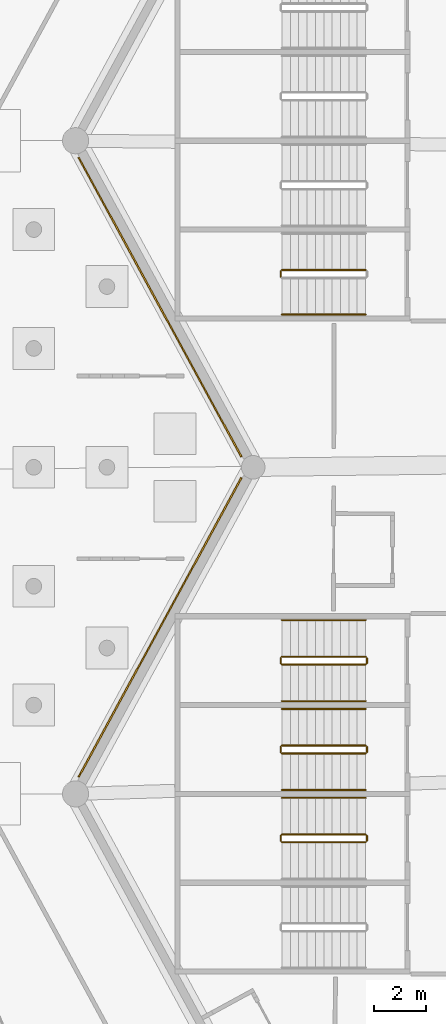
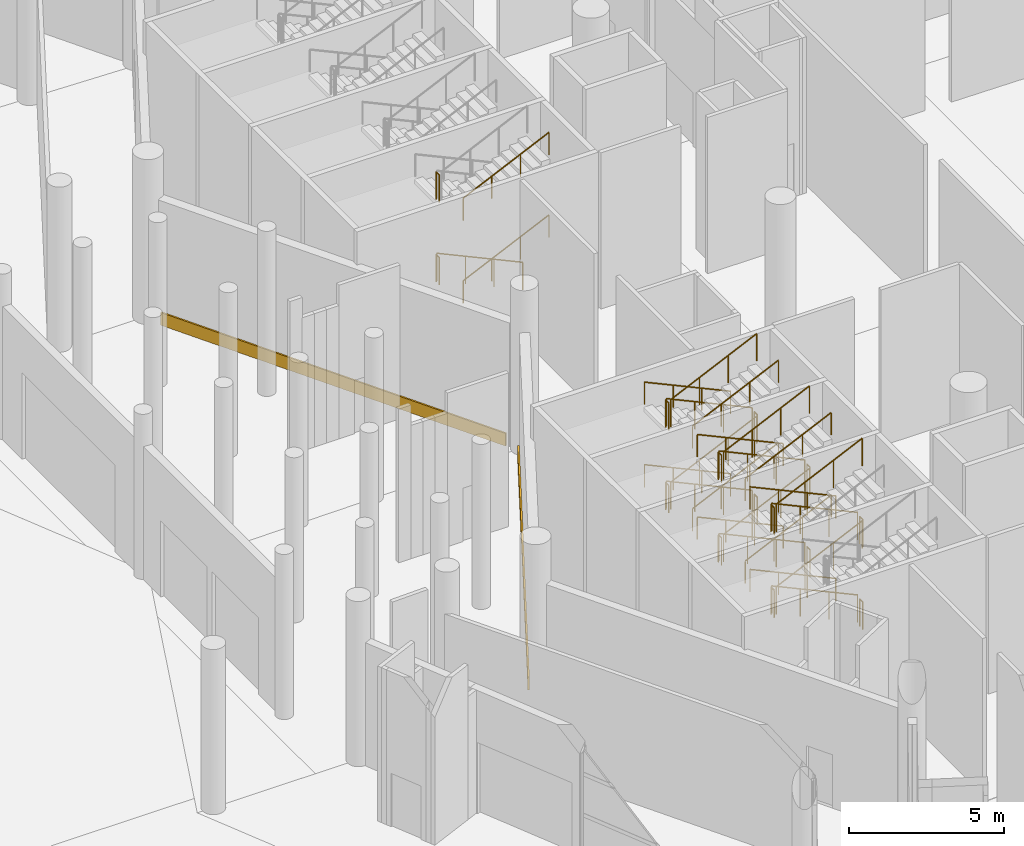
# One storey, part 200 of 255: 39 railings, 2 coverings.
"""IFC4 building model written with IfcOpenShell, lengths in metres."""

from ifc_helpers import new_model, si_unit, direction, frame, origin, origin_2d, place, context, subcontext, project, spatial, rectangle, circle, extrude, material, layer, layer_set, type_object, element, save


model = new_model("IFC4")

# Units and contexts
model_context = context("Model", 3, precision=1e-05, world=origin(), true_north=direction((0.0, 1.0)))
body_context = subcontext(model_context, "Body", "Model", "MODEL_VIEW")
ifc_project = project(units=[si_unit("LENGTHUNIT", "METRE"), si_unit("AREAUNIT", "SQUARE_METRE"), si_unit("VOLUMEUNIT", "CUBIC_METRE"), si_unit("PLANEANGLEUNIT", "RADIAN"), si_unit("MASSUNIT", "GRAM", prefix="KILO")], contexts=[model_context])

# Site, building, storey
site_placement = place(None, origin())
site = spatial("IfcSite", under=ifc_project, at=site_placement, CompositionType="ELEMENT")
building_placement = place(site_placement, origin())
building = spatial("IfcBuilding", under=site, at=building_placement, Name="Meseta Stadium", CompositionType="ELEMENT")
storey_placement = place(building_placement, origin())
storey = spatial("IfcBuildingStorey", under=building, at=storey_placement, Name="L00", CompositionType="ELEMENT", Elevation=0.0)

# Coverings
ifc_material_1 = material(Name="Guadarrama granite cladding", Category="masonry")
ifc_layer = layer(ifc_material_1, 0.06005859375)
ifc_layer_set = layer_set([ifc_layer], Name="Granite plinth cladding 60")
covering_type = type_object("IfcCoveringType", Name="Granite plinth cladding 60", PredefinedType="CLADDING", material=ifc_layer_set)
for number, where, z_axis, x_axis, name in (
    (1, (-98.168212890625, -0.119873046875, 0.0), (0.0, 0.0, 1.0), (-0.47786723231, 0.878432073802, 0.0), "Granite plinth L00 F32"),
    (2, (-98.168212890625, -12.380126953125, 0.0), (0.0, 0.0, 1.0), (0.47786723231, 0.878432073802, 0.0), "Granite plinth L00 F33"),
):
    element("IfcCovering", number, at=place(storey_placement, frame(where, z_axis=z_axis, x_axis=x_axis)), inside=storey, type_object=covering_type, Name=name, PredefinedType="CLADDING", context=body_context, shape_type="SweptSolid", body=[
        extrude(rectangle(XDim=13.040283203125, YDim=0.06005859375, at=origin_2d()), origin(), (0.0, 0.0, 1.0), 0.5),
    ])

# Railings
ifc_material_2 = material(Name="Steel S355", Category="steel")
railing_type_1 = type_object("IfcRailingType", Name="Stair guard 1100", PredefinedType="GUARDRAIL", material=ifc_material_2)
railing_1_placement = place(storey_placement, frame((-90.300048828125, 1.300048828125, 0.147705078125)))
element("IfcRailing", 3, at=railing_1_placement, inside=storey, type_object=railing_type_1, Name="ST68 L00 guard 1", PredefinedType="GUARDRAIL", context=body_context, shape_type="SweptSolid", body=[
    extrude(circle(Radius=0.02392578125, at=origin_2d()), frame((0.0, 0.0, 1.076171875), z_axis=(-0.907916804346, 0.0, 0.419150422148), x_axis=(0.0, -1.0, 0.0)), (0.0, 0.0, 1.0), 3.5244140625),
    extrude(circle(Radius=0.02099609375, at=origin_2d()), origin(), (0.0, 0.0, 1.0), 1.052001953125),
    extrude(circle(Radius=0.02099609375, at=origin_2d()), frame((-1.066650390625, 0.0, 0.492431640625)), (0.0, 0.0, 1.0), 1.052001953125),
    extrude(circle(Radius=0.02099609375, at=origin_2d()), frame((-2.13330078125, 0.0, 0.98486328125)), (0.0, 0.0, 1.0), 1.052001953125),
    extrude(circle(Radius=0.02099609375, at=origin_2d()), frame((-3.199951171875, 0.0, 1.477294921875)), (0.0, 0.0, 1.0), 1.052001953125),
])
for number, where, name in (
    (4, (-93.550048828125, 1.25, 1.625), "ST68 L00 guard 2"),
    (5, (-93.550048828125, 1.25, 4.875), "ST68 L00 guard 6"),
):
    element("IfcRailing", number, at=place(storey_placement, frame(where)), inside=storey, type_object=railing_type_1, Name=name, PredefinedType="GUARDRAIL", context=body_context, shape_type="SweptSolid", body=[
        extrude(circle(Radius=0.02392578125, at=origin_2d()), frame((0.0, 0.0, 1.076171875), z_axis=(0.0, -1.0, 0.0), x_axis=(1.0, 0.0, 0.0)), (0.0, 0.0, 1.0), 0.199951171875),
        extrude(circle(Radius=0.02099609375, at=origin_2d()), origin(), (0.0, 0.0, 1.0), 1.052001953125),
        extrude(circle(Radius=0.02099609375, at=origin_2d()), frame((0.0, -0.199951171875, 0.0)), (0.0, 0.0, 1.0), 1.052001953125),
    ])
railing_2_placement = place(storey_placement, frame((-90.300048828125, -13.5, 0.147705078125)))
element("IfcRailing", 6, at=railing_2_placement, inside=storey, type_object=railing_type_1, Name="ST69 L00 guard 1", PredefinedType="GUARDRAIL", context=body_context, shape_type="SweptSolid", body=[
    extrude(circle(Radius=0.02392578125, at=origin_2d()), frame((0.0, 0.0, 1.076171875), z_axis=(-0.907916804346, 0.0, 0.419150422148), x_axis=(0.0, -1.0, 0.0)), (0.0, 0.0, 1.0), 3.5244140625),
    extrude(circle(Radius=0.02099609375, at=origin_2d()), origin(), (0.0, 0.0, 1.0), 1.052001953125),
    extrude(circle(Radius=0.02099609375, at=origin_2d()), frame((-1.066650390625, 0.0, 0.492431640625)), (0.0, 0.0, 1.0), 1.052001953125),
    extrude(circle(Radius=0.02099609375, at=origin_2d()), frame((-2.13330078125, 0.0, 0.98486328125)), (0.0, 0.0, 1.0), 1.052001953125),
    extrude(circle(Radius=0.02099609375, at=origin_2d()), frame((-3.199951171875, 0.0, 1.477294921875)), (0.0, 0.0, 1.0), 1.052001953125),
])
railing_3_placement = place(storey_placement, frame((-93.550048828125, -13.550048828125, 1.625)))
element("IfcRailing", 7, at=railing_3_placement, inside=storey, type_object=railing_type_1, Name="ST69 L00 guard 2", PredefinedType="GUARDRAIL", context=body_context, shape_type="SweptSolid", body=[
    extrude(circle(Radius=0.02392578125, at=origin_2d()), frame((0.0, 0.0, 1.076171875), z_axis=(0.0, -1.0, 0.0), x_axis=(1.0, 0.0, 0.0)), (0.0, 0.0, 1.0), 0.199951171875),
    extrude(circle(Radius=0.02099609375, at=origin_2d()), origin(), (0.0, 0.0, 1.0), 1.052001953125),
    extrude(circle(Radius=0.02099609375, at=origin_2d()), frame((0.0, -0.199951171875, 0.0)), (0.0, 0.0, 1.0), 1.052001953125),
])
railing_4_placement = place(storey_placement, frame((-93.5, -13.800048828125, 1.772705078125)))
element("IfcRailing", 8, at=railing_4_placement, inside=storey, type_object=railing_type_1, Name="ST69 L00 guard 3", PredefinedType="GUARDRAIL", context=body_context, shape_type="SweptSolid", body=[
    extrude(circle(Radius=0.02392578125, at=origin_2d()), frame((0.0, 0.0, 1.076171875), z_axis=(0.907916804346, 0.0, 0.419150422148), x_axis=(0.0, 1.0, 0.0)), (0.0, 0.0, 1.0), 3.5244140625),
    extrude(circle(Radius=0.02099609375, at=origin_2d()), origin(), (0.0, 0.0, 1.0), 1.052001953125),
    extrude(circle(Radius=0.02099609375, at=origin_2d()), frame((1.066650390625, 0.0, 0.492431640625)), (0.0, 0.0, 1.0), 1.052001953125),
    extrude(circle(Radius=0.02099609375, at=origin_2d()), frame((2.13330078125, 0.0, 0.98486328125)), (0.0, 0.0, 1.0), 1.052001953125),
    extrude(circle(Radius=0.02099609375, at=origin_2d()), frame((3.199951171875, 0.0, 1.477294921875)), (0.0, 0.0, 1.0), 1.052001953125),
])
railing_5_placement = place(storey_placement, frame((-90.25, -13.550048828125, 3.25)))
element("IfcRailing", 9, at=railing_5_placement, inside=storey, type_object=railing_type_1, Name="ST69 L00 guard 4", PredefinedType="GUARDRAIL", context=body_context, shape_type="SweptSolid", body=[
    extrude(circle(Radius=0.02392578125, at=origin_2d()), frame((0.0, 0.0, 1.076171875), z_axis=(0.0, -1.0, 0.0), x_axis=(1.0, 0.0, 0.0)), (0.0, 0.0, 1.0), 0.199951171875),
    extrude(circle(Radius=0.02099609375, at=origin_2d()), origin(), (0.0, 0.0, 1.0), 1.052001953125),
    extrude(circle(Radius=0.02099609375, at=origin_2d()), frame((0.0, -0.199951171875, 0.0)), (0.0, 0.0, 1.0), 1.052001953125),
])
railing_6_placement = place(storey_placement, frame((-90.300048828125, -13.5, 3.397705078125)))
element("IfcRailing", 10, at=railing_6_placement, inside=storey, type_object=railing_type_1, Name="ST69 L00 guard 5", PredefinedType="GUARDRAIL", context=body_context, shape_type="SweptSolid", body=[
    extrude(circle(Radius=0.02392578125, at=origin_2d()), frame((0.0, 0.0, 1.076171875), z_axis=(-0.907916804346, 0.0, 0.419150422148), x_axis=(0.0, -1.0, 0.0)), (0.0, 0.0, 1.0), 3.5244140625),
    extrude(circle(Radius=0.02099609375, at=origin_2d()), origin(), (0.0, 0.0, 1.0), 1.052001953125),
    extrude(circle(Radius=0.02099609375, at=origin_2d()), frame((-1.066650390625, 0.0, 0.492431640625)), (0.0, 0.0, 1.0), 1.052001953125),
    extrude(circle(Radius=0.02099609375, at=origin_2d()), frame((-2.13330078125, 0.0, 0.98486328125)), (0.0, 0.0, 1.0), 1.052001953125),
    extrude(circle(Radius=0.02099609375, at=origin_2d()), frame((-3.199951171875, 0.0, 1.477294921875)), (0.0, 0.0, 1.0), 1.052001953125),
])
railing_7_placement = place(storey_placement, frame((-93.550048828125, -13.550048828125, 4.875)))
element("IfcRailing", 11, at=railing_7_placement, inside=storey, type_object=railing_type_1, Name="ST69 L00 guard 6", PredefinedType="GUARDRAIL", context=body_context, shape_type="SweptSolid", body=[
    extrude(circle(Radius=0.02392578125, at=origin_2d()), frame((0.0, 0.0, 1.076171875), z_axis=(0.0, -1.0, 0.0), x_axis=(1.0, 0.0, 0.0)), (0.0, 0.0, 1.0), 0.199951171875),
    extrude(circle(Radius=0.02099609375, at=origin_2d()), origin(), (0.0, 0.0, 1.0), 1.052001953125),
    extrude(circle(Radius=0.02099609375, at=origin_2d()), frame((0.0, -0.199951171875, 0.0)), (0.0, 0.0, 1.0), 1.052001953125),
])
railing_8_placement = place(storey_placement, frame((-93.5, -13.800048828125, 5.022705078125)))
element("IfcRailing", 12, at=railing_8_placement, inside=storey, type_object=railing_type_1, Name="ST69 L00 guard 7", PredefinedType="GUARDRAIL", context=body_context, shape_type="SweptSolid", body=[
    extrude(circle(Radius=0.02392578125, at=origin_2d()), frame((0.0, 0.0, 1.076171875), z_axis=(0.907916804346, 0.0, 0.419150422148), x_axis=(0.0, 1.0, 0.0)), (0.0, 0.0, 1.0), 3.5244140625),
    extrude(circle(Radius=0.02099609375, at=origin_2d()), origin(), (0.0, 0.0, 1.0), 1.052001953125),
    extrude(circle(Radius=0.02099609375, at=origin_2d()), frame((1.066650390625, 0.0, 0.492431640625)), (0.0, 0.0, 1.0), 1.052001953125),
    extrude(circle(Radius=0.02099609375, at=origin_2d()), frame((2.13330078125, 0.0, 0.98486328125)), (0.0, 0.0, 1.0), 1.052001953125),
    extrude(circle(Radius=0.02099609375, at=origin_2d()), frame((3.199951171875, 0.0, 1.477294921875)), (0.0, 0.0, 1.0), 1.052001953125),
])
railing_9_placement = place(storey_placement, frame((-90.25, -13.550048828125, 0.0)))
element("IfcRailing", 13, at=railing_9_placement, inside=storey, type_object=railing_type_1, Name="ST69 L00 guard 8", PredefinedType="GUARDRAIL", context=body_context, shape_type="SweptSolid", body=[
    extrude(circle(Radius=0.02392578125, at=origin_2d()), frame((0.0, 0.0, 1.076171875), z_axis=(0.0, -1.0, 0.0), x_axis=(1.0, 0.0, 0.0)), (0.0, 0.0, 1.0), 0.199951171875),
    extrude(circle(Radius=0.02099609375, at=origin_2d()), origin(), (0.0, 0.0, 1.0), 1.052001953125),
    extrude(circle(Radius=0.02099609375, at=origin_2d()), frame((0.0, -0.199951171875, 0.0)), (0.0, 0.0, 1.0), 1.052001953125),
])
railing_10_placement = place(storey_placement, frame((-90.300048828125, -16.89990234375, 0.147705078125)))
element("IfcRailing", 14, at=railing_10_placement, inside=storey, type_object=railing_type_1, Name="ST70 L00 guard 1", PredefinedType="GUARDRAIL", context=body_context, shape_type="SweptSolid", body=[
    extrude(circle(Radius=0.02392578125, at=origin_2d()), frame((0.0, 0.0, 1.076171875), z_axis=(-0.907916804346, 0.0, 0.419150422148), x_axis=(0.0, -1.0, 0.0)), (0.0, 0.0, 1.0), 3.5244140625),
    extrude(circle(Radius=0.02099609375, at=origin_2d()), origin(), (0.0, 0.0, 1.0), 1.052001953125),
    extrude(circle(Radius=0.02099609375, at=origin_2d()), frame((-1.066650390625, 0.0, 0.492431640625)), (0.0, 0.0, 1.0), 1.052001953125),
    extrude(circle(Radius=0.02099609375, at=origin_2d()), frame((-2.13330078125, 0.0, 0.98486328125)), (0.0, 0.0, 1.0), 1.052001953125),
    extrude(circle(Radius=0.02099609375, at=origin_2d()), frame((-3.199951171875, 0.0, 1.477294921875)), (0.0, 0.0, 1.0), 1.052001953125),
])
railing_11_placement = place(storey_placement, frame((-93.550048828125, -16.949951171875, 1.625)))
element("IfcRailing", 15, at=railing_11_placement, inside=storey, type_object=railing_type_1, Name="ST70 L00 guard 2", PredefinedType="GUARDRAIL", context=body_context, shape_type="SweptSolid", body=[
    extrude(circle(Radius=0.02392578125, at=origin_2d()), frame((0.0, 0.0, 1.076171875), z_axis=(0.0, -1.0, 0.0), x_axis=(1.0, 0.0, 0.0)), (0.0, 0.0, 1.0), 0.199951171875),
    extrude(circle(Radius=0.02099609375, at=origin_2d()), origin(), (0.0, 0.0, 1.0), 1.052001953125),
    extrude(circle(Radius=0.02099609375, at=origin_2d()), frame((0.0, -0.199951171875, 0.0)), (0.0, 0.0, 1.0), 1.052001953125),
])
railing_12_placement = place(storey_placement, frame((-93.5, -17.199951171875, 1.772705078125)))
element("IfcRailing", 16, at=railing_12_placement, inside=storey, type_object=railing_type_1, Name="ST70 L00 guard 3", PredefinedType="GUARDRAIL", context=body_context, shape_type="SweptSolid", body=[
    extrude(circle(Radius=0.02392578125, at=origin_2d()), frame((0.0, 0.0, 1.076171875), z_axis=(0.907916804346, 0.0, 0.419150422148), x_axis=(0.0, 1.0, 0.0)), (0.0, 0.0, 1.0), 3.5244140625),
    extrude(circle(Radius=0.02099609375, at=origin_2d()), origin(), (0.0, 0.0, 1.0), 1.052001953125),
    extrude(circle(Radius=0.02099609375, at=origin_2d()), frame((1.066650390625, 0.0, 0.492431640625)), (0.0, 0.0, 1.0), 1.052001953125),
    extrude(circle(Radius=0.02099609375, at=origin_2d()), frame((2.13330078125, 0.0, 0.98486328125)), (0.0, 0.0, 1.0), 1.052001953125),
    extrude(circle(Radius=0.02099609375, at=origin_2d()), frame((3.199951171875, 0.0, 1.477294921875)), (0.0, 0.0, 1.0), 1.052001953125),
])
railing_13_placement = place(storey_placement, frame((-90.25, -16.949951171875, 3.25)))
element("IfcRailing", 17, at=railing_13_placement, inside=storey, type_object=railing_type_1, Name="ST70 L00 guard 4", PredefinedType="GUARDRAIL", context=body_context, shape_type="SweptSolid", body=[
    extrude(circle(Radius=0.02392578125, at=origin_2d()), frame((0.0, 0.0, 1.076171875), z_axis=(0.0, -1.0, 0.0), x_axis=(1.0, 0.0, 0.0)), (0.0, 0.0, 1.0), 0.199951171875),
    extrude(circle(Radius=0.02099609375, at=origin_2d()), origin(), (0.0, 0.0, 1.0), 1.052001953125),
    extrude(circle(Radius=0.02099609375, at=origin_2d()), frame((0.0, -0.199951171875, 0.0)), (0.0, 0.0, 1.0), 1.052001953125),
])
railing_14_placement = place(storey_placement, frame((-90.300048828125, -16.89990234375, 3.397705078125)))
element("IfcRailing", 18, at=railing_14_placement, inside=storey, type_object=railing_type_1, Name="ST70 L00 guard 5", PredefinedType="GUARDRAIL", context=body_context, shape_type="SweptSolid", body=[
    extrude(circle(Radius=0.02392578125, at=origin_2d()), frame((0.0, 0.0, 1.076171875), z_axis=(-0.907916804346, 0.0, 0.419150422148), x_axis=(0.0, -1.0, 0.0)), (0.0, 0.0, 1.0), 3.5244140625),
    extrude(circle(Radius=0.02099609375, at=origin_2d()), origin(), (0.0, 0.0, 1.0), 1.052001953125),
    extrude(circle(Radius=0.02099609375, at=origin_2d()), frame((-1.066650390625, 0.0, 0.492431640625)), (0.0, 0.0, 1.0), 1.052001953125),
    extrude(circle(Radius=0.02099609375, at=origin_2d()), frame((-2.13330078125, 0.0, 0.98486328125)), (0.0, 0.0, 1.0), 1.052001953125),
    extrude(circle(Radius=0.02099609375, at=origin_2d()), frame((-3.199951171875, 0.0, 1.477294921875)), (0.0, 0.0, 1.0), 1.052001953125),
])
railing_15_placement = place(storey_placement, frame((-93.550048828125, -16.949951171875, 4.875)))
element("IfcRailing", 19, at=railing_15_placement, inside=storey, type_object=railing_type_1, Name="ST70 L00 guard 6", PredefinedType="GUARDRAIL", context=body_context, shape_type="SweptSolid", body=[
    extrude(circle(Radius=0.02392578125, at=origin_2d()), frame((0.0, 0.0, 1.076171875), z_axis=(0.0, -1.0, 0.0), x_axis=(1.0, 0.0, 0.0)), (0.0, 0.0, 1.0), 0.199951171875),
    extrude(circle(Radius=0.02099609375, at=origin_2d()), origin(), (0.0, 0.0, 1.0), 1.052001953125),
    extrude(circle(Radius=0.02099609375, at=origin_2d()), frame((0.0, -0.199951171875, 0.0)), (0.0, 0.0, 1.0), 1.052001953125),
])
railing_16_placement = place(storey_placement, frame((-93.5, -17.199951171875, 5.022705078125)))
element("IfcRailing", 20, at=railing_16_placement, inside=storey, type_object=railing_type_1, Name="ST70 L00 guard 7", PredefinedType="GUARDRAIL", context=body_context, shape_type="SweptSolid", body=[
    extrude(circle(Radius=0.02392578125, at=origin_2d()), frame((0.0, 0.0, 1.076171875), z_axis=(0.907916804346, 0.0, 0.419150422148), x_axis=(0.0, 1.0, 0.0)), (0.0, 0.0, 1.0), 3.5244140625),
    extrude(circle(Radius=0.02099609375, at=origin_2d()), origin(), (0.0, 0.0, 1.0), 1.052001953125),
    extrude(circle(Radius=0.02099609375, at=origin_2d()), frame((1.066650390625, 0.0, 0.492431640625)), (0.0, 0.0, 1.0), 1.052001953125),
    extrude(circle(Radius=0.02099609375, at=origin_2d()), frame((2.13330078125, 0.0, 0.98486328125)), (0.0, 0.0, 1.0), 1.052001953125),
    extrude(circle(Radius=0.02099609375, at=origin_2d()), frame((3.199951171875, 0.0, 1.477294921875)), (0.0, 0.0, 1.0), 1.052001953125),
])
railing_17_placement = place(storey_placement, frame((-90.25, -16.949951171875, 0.0)))
element("IfcRailing", 21, at=railing_17_placement, inside=storey, type_object=railing_type_1, Name="ST70 L00 guard 8", PredefinedType="GUARDRAIL", context=body_context, shape_type="SweptSolid", body=[
    extrude(circle(Radius=0.02392578125, at=origin_2d()), frame((0.0, 0.0, 1.076171875), z_axis=(0.0, -1.0, 0.0), x_axis=(1.0, 0.0, 0.0)), (0.0, 0.0, 1.0), 0.199951171875),
    extrude(circle(Radius=0.02099609375, at=origin_2d()), origin(), (0.0, 0.0, 1.0), 1.052001953125),
    extrude(circle(Radius=0.02099609375, at=origin_2d()), frame((0.0, -0.199951171875, 0.0)), (0.0, 0.0, 1.0), 1.052001953125),
])
railing_18_placement = place(storey_placement, frame((-90.300048828125, -20.300048828125, 0.147705078125)))
element("IfcRailing", 22, at=railing_18_placement, inside=storey, type_object=railing_type_1, Name="ST71 L00 guard 1", PredefinedType="GUARDRAIL", context=body_context, shape_type="SweptSolid", body=[
    extrude(circle(Radius=0.02392578125, at=origin_2d()), frame((0.0, 0.0, 1.076171875), z_axis=(-0.907916804346, 0.0, 0.419150422148), x_axis=(0.0, -1.0, 0.0)), (0.0, 0.0, 1.0), 3.5244140625),
    extrude(circle(Radius=0.02099609375, at=origin_2d()), origin(), (0.0, 0.0, 1.0), 1.052001953125),
    extrude(circle(Radius=0.02099609375, at=origin_2d()), frame((-1.066650390625, 0.0, 0.492431640625)), (0.0, 0.0, 1.0), 1.052001953125),
    extrude(circle(Radius=0.02099609375, at=origin_2d()), frame((-2.13330078125, 0.0, 0.98486328125)), (0.0, 0.0, 1.0), 1.052001953125),
    extrude(circle(Radius=0.02099609375, at=origin_2d()), frame((-3.199951171875, 0.0, 1.477294921875)), (0.0, 0.0, 1.0), 1.052001953125),
])
railing_19_placement = place(storey_placement, frame((-93.550048828125, -20.35009765625, 1.625)))
element("IfcRailing", 23, at=railing_19_placement, inside=storey, type_object=railing_type_1, Name="ST71 L00 guard 2", PredefinedType="GUARDRAIL", context=body_context, shape_type="SweptSolid", body=[
    extrude(circle(Radius=0.02392578125, at=origin_2d()), frame((0.0, 0.0, 1.076171875), z_axis=(0.0, -1.0, 0.0), x_axis=(1.0, 0.0, 0.0)), (0.0, 0.0, 1.0), 0.199951171875),
    extrude(circle(Radius=0.02099609375, at=origin_2d()), origin(), (0.0, 0.0, 1.0), 1.052001953125),
    extrude(circle(Radius=0.02099609375, at=origin_2d()), frame((0.0, -0.199951171875, 0.0)), (0.0, 0.0, 1.0), 1.052001953125),
])
railing_20_placement = place(storey_placement, frame((-93.5, -20.60009765625, 1.772705078125)))
element("IfcRailing", 24, at=railing_20_placement, inside=storey, type_object=railing_type_1, Name="ST71 L00 guard 3", PredefinedType="GUARDRAIL", context=body_context, shape_type="SweptSolid", body=[
    extrude(circle(Radius=0.02392578125, at=origin_2d()), frame((0.0, 0.0, 1.076171875), z_axis=(0.907916804346, 0.0, 0.419150422148), x_axis=(0.0, 1.0, 0.0)), (0.0, 0.0, 1.0), 3.5244140625),
    extrude(circle(Radius=0.02099609375, at=origin_2d()), origin(), (0.0, 0.0, 1.0), 1.052001953125),
    extrude(circle(Radius=0.02099609375, at=origin_2d()), frame((1.066650390625, 0.0, 0.492431640625)), (0.0, 0.0, 1.0), 1.052001953125),
    extrude(circle(Radius=0.02099609375, at=origin_2d()), frame((2.13330078125, 0.0, 0.98486328125)), (0.0, 0.0, 1.0), 1.052001953125),
    extrude(circle(Radius=0.02099609375, at=origin_2d()), frame((3.199951171875, 0.0, 1.477294921875)), (0.0, 0.0, 1.0), 1.052001953125),
])
railing_21_placement = place(storey_placement, frame((-90.25, -20.35009765625, 3.25)))
element("IfcRailing", 25, at=railing_21_placement, inside=storey, type_object=railing_type_1, Name="ST71 L00 guard 4", PredefinedType="GUARDRAIL", context=body_context, shape_type="SweptSolid", body=[
    extrude(circle(Radius=0.02392578125, at=origin_2d()), frame((0.0, 0.0, 1.076171875), z_axis=(0.0, -1.0, 0.0), x_axis=(1.0, 0.0, 0.0)), (0.0, 0.0, 1.0), 0.199951171875),
    extrude(circle(Radius=0.02099609375, at=origin_2d()), origin(), (0.0, 0.0, 1.0), 1.052001953125),
    extrude(circle(Radius=0.02099609375, at=origin_2d()), frame((0.0, -0.199951171875, 0.0)), (0.0, 0.0, 1.0), 1.052001953125),
])
railing_22_placement = place(storey_placement, frame((-90.300048828125, -20.300048828125, 3.397705078125)))
element("IfcRailing", 26, at=railing_22_placement, inside=storey, type_object=railing_type_1, Name="ST71 L00 guard 5", PredefinedType="GUARDRAIL", context=body_context, shape_type="SweptSolid", body=[
    extrude(circle(Radius=0.02392578125, at=origin_2d()), frame((0.0, 0.0, 1.076171875), z_axis=(-0.907916804346, 0.0, 0.419150422148), x_axis=(0.0, -1.0, 0.0)), (0.0, 0.0, 1.0), 3.5244140625),
    extrude(circle(Radius=0.02099609375, at=origin_2d()), origin(), (0.0, 0.0, 1.0), 1.052001953125),
    extrude(circle(Radius=0.02099609375, at=origin_2d()), frame((-1.066650390625, 0.0, 0.492431640625)), (0.0, 0.0, 1.0), 1.052001953125),
    extrude(circle(Radius=0.02099609375, at=origin_2d()), frame((-2.13330078125, 0.0, 0.98486328125)), (0.0, 0.0, 1.0), 1.052001953125),
    extrude(circle(Radius=0.02099609375, at=origin_2d()), frame((-3.199951171875, 0.0, 1.477294921875)), (0.0, 0.0, 1.0), 1.052001953125),
])
railing_23_placement = place(storey_placement, frame((-93.550048828125, -20.35009765625, 4.875)))
element("IfcRailing", 27, at=railing_23_placement, inside=storey, type_object=railing_type_1, Name="ST71 L00 guard 6", PredefinedType="GUARDRAIL", context=body_context, shape_type="SweptSolid", body=[
    extrude(circle(Radius=0.02392578125, at=origin_2d()), frame((0.0, 0.0, 1.076171875), z_axis=(0.0, -1.0, 0.0), x_axis=(1.0, 0.0, 0.0)), (0.0, 0.0, 1.0), 0.199951171875),
    extrude(circle(Radius=0.02099609375, at=origin_2d()), origin(), (0.0, 0.0, 1.0), 1.052001953125),
    extrude(circle(Radius=0.02099609375, at=origin_2d()), frame((0.0, -0.199951171875, 0.0)), (0.0, 0.0, 1.0), 1.052001953125),
])
railing_24_placement = place(storey_placement, frame((-93.5, -20.60009765625, 5.022705078125)))
element("IfcRailing", 28, at=railing_24_placement, inside=storey, type_object=railing_type_1, Name="ST71 L00 guard 7", PredefinedType="GUARDRAIL", context=body_context, shape_type="SweptSolid", body=[
    extrude(circle(Radius=0.02392578125, at=origin_2d()), frame((0.0, 0.0, 1.076171875), z_axis=(0.907916804346, 0.0, 0.419150422148), x_axis=(0.0, 1.0, 0.0)), (0.0, 0.0, 1.0), 3.5244140625),
    extrude(circle(Radius=0.02099609375, at=origin_2d()), origin(), (0.0, 0.0, 1.0), 1.052001953125),
    extrude(circle(Radius=0.02099609375, at=origin_2d()), frame((1.066650390625, 0.0, 0.492431640625)), (0.0, 0.0, 1.0), 1.052001953125),
    extrude(circle(Radius=0.02099609375, at=origin_2d()), frame((2.13330078125, 0.0, 0.98486328125)), (0.0, 0.0, 1.0), 1.052001953125),
    extrude(circle(Radius=0.02099609375, at=origin_2d()), frame((3.199951171875, 0.0, 1.477294921875)), (0.0, 0.0, 1.0), 1.052001953125),
])
railing_25_placement = place(storey_placement, frame((-90.25, -20.35009765625, 0.0)))
element("IfcRailing", 29, at=railing_25_placement, inside=storey, type_object=railing_type_1, Name="ST71 L00 guard 8", PredefinedType="GUARDRAIL", context=body_context, shape_type="SweptSolid", body=[
    extrude(circle(Radius=0.02392578125, at=origin_2d()), frame((0.0, 0.0, 1.076171875), z_axis=(0.0, -1.0, 0.0), x_axis=(1.0, 0.0, 0.0)), (0.0, 0.0, 1.0), 0.199951171875),
    extrude(circle(Radius=0.02099609375, at=origin_2d()), origin(), (0.0, 0.0, 1.0), 1.052001953125),
    extrude(circle(Radius=0.02099609375, at=origin_2d()), frame((0.0, -0.199951171875, 0.0)), (0.0, 0.0, 1.0), 1.052001953125),
])
ifc_material_3 = material(Name="Steel S355", Category="steel")
railing_type_2 = type_object("IfcRailingType", Name="Stair handrail 900", PredefinedType="HANDRAIL", material=ifc_material_3)
for number, where, name in (
    (30, (-93.5, -0.39990234375, 1.772705078125), "ST68 L00 handrail 2"),
    (31, (-93.5, -0.39990234375, 5.022705078125), "ST68 L00 handrail 4"),
):
    element("IfcRailing", number, at=place(storey_placement, frame(where)), inside=storey, type_object=railing_type_2, Name=name, PredefinedType="HANDRAIL", context=body_context, shape_type="SweptSolid", body=[
        extrude(circle(Radius=0.02392578125, at=origin_2d()), frame((0.0, 0.0, 0.8759765625), z_axis=(0.907916804346, 0.0, 0.419150422148), x_axis=(0.0, 1.0, 0.0)), (0.0, 0.0, 1.0), 3.5244140625),
        extrude(circle(Radius=0.02099609375, at=origin_2d()), origin(), (0.0, 0.0, 1.0), 0.851806640625),
        extrude(circle(Radius=0.02099609375, at=origin_2d()), frame((1.066650390625, 0.0, 0.492431640625)), (0.0, 0.0, 1.0), 0.851806640625),
        extrude(circle(Radius=0.02099609375, at=origin_2d()), frame((2.13330078125, 0.0, 0.98486328125)), (0.0, 0.0, 1.0), 0.851806640625),
        extrude(circle(Radius=0.02099609375, at=origin_2d()), frame((3.199951171875, 0.0, 1.477294921875)), (0.0, 0.0, 1.0), 0.851806640625),
    ])
railing_26_placement = place(storey_placement, frame((-90.300048828125, -12.10009765625, 0.147705078125)))
element("IfcRailing", 32, at=railing_26_placement, inside=storey, type_object=railing_type_2, Name="ST69 L00 handrail 1", PredefinedType="HANDRAIL", context=body_context, shape_type="SweptSolid", body=[
    extrude(circle(Radius=0.02392578125, at=origin_2d()), frame((0.0, 0.0, 0.8759765625), z_axis=(-0.907916804346, 0.0, 0.419150422148), x_axis=(0.0, -1.0, 0.0)), (0.0, 0.0, 1.0), 3.5244140625),
    extrude(circle(Radius=0.02099609375, at=origin_2d()), origin(), (0.0, 0.0, 1.0), 0.851806640625),
    extrude(circle(Radius=0.02099609375, at=origin_2d()), frame((-1.066650390625, 0.0, 0.492431640625)), (0.0, 0.0, 1.0), 0.851806640625),
    extrude(circle(Radius=0.02099609375, at=origin_2d()), frame((-2.13330078125, 0.0, 0.98486328125)), (0.0, 0.0, 1.0), 0.851806640625),
    extrude(circle(Radius=0.02099609375, at=origin_2d()), frame((-3.199951171875, 0.0, 1.477294921875)), (0.0, 0.0, 1.0), 0.851806640625),
])
railing_27_placement = place(storey_placement, frame((-93.5, -15.199951171875, 1.772705078125)))
element("IfcRailing", 33, at=railing_27_placement, inside=storey, type_object=railing_type_2, Name="ST69 L00 handrail 2", PredefinedType="HANDRAIL", context=body_context, shape_type="SweptSolid", body=[
    extrude(circle(Radius=0.02392578125, at=origin_2d()), frame((0.0, 0.0, 0.8759765625), z_axis=(0.907916804346, 0.0, 0.419150422148), x_axis=(0.0, 1.0, 0.0)), (0.0, 0.0, 1.0), 3.5244140625),
    extrude(circle(Radius=0.02099609375, at=origin_2d()), origin(), (0.0, 0.0, 1.0), 0.851806640625),
    extrude(circle(Radius=0.02099609375, at=origin_2d()), frame((1.066650390625, 0.0, 0.492431640625)), (0.0, 0.0, 1.0), 0.851806640625),
    extrude(circle(Radius=0.02099609375, at=origin_2d()), frame((2.13330078125, 0.0, 0.98486328125)), (0.0, 0.0, 1.0), 0.851806640625),
    extrude(circle(Radius=0.02099609375, at=origin_2d()), frame((3.199951171875, 0.0, 1.477294921875)), (0.0, 0.0, 1.0), 0.851806640625),
])
railing_28_placement = place(storey_placement, frame((-90.300048828125, -12.10009765625, 3.397705078125)))
element("IfcRailing", 34, at=railing_28_placement, inside=storey, type_object=railing_type_2, Name="ST69 L00 handrail 3", PredefinedType="HANDRAIL", context=body_context, shape_type="SweptSolid", body=[
    extrude(circle(Radius=0.02392578125, at=origin_2d()), frame((0.0, 0.0, 0.8759765625), z_axis=(-0.907916804346, 0.0, 0.419150422148), x_axis=(0.0, -1.0, 0.0)), (0.0, 0.0, 1.0), 3.5244140625),
    extrude(circle(Radius=0.02099609375, at=origin_2d()), origin(), (0.0, 0.0, 1.0), 0.851806640625),
    extrude(circle(Radius=0.02099609375, at=origin_2d()), frame((-1.066650390625, 0.0, 0.492431640625)), (0.0, 0.0, 1.0), 0.851806640625),
    extrude(circle(Radius=0.02099609375, at=origin_2d()), frame((-2.13330078125, 0.0, 0.98486328125)), (0.0, 0.0, 1.0), 0.851806640625),
    extrude(circle(Radius=0.02099609375, at=origin_2d()), frame((-3.199951171875, 0.0, 1.477294921875)), (0.0, 0.0, 1.0), 0.851806640625),
])
railing_29_placement = place(storey_placement, frame((-93.5, -15.199951171875, 5.022705078125)))
element("IfcRailing", 35, at=railing_29_placement, inside=storey, type_object=railing_type_2, Name="ST69 L00 handrail 4", PredefinedType="HANDRAIL", context=body_context, shape_type="SweptSolid", body=[
    extrude(circle(Radius=0.02392578125, at=origin_2d()), frame((0.0, 0.0, 0.8759765625), z_axis=(0.907916804346, 0.0, 0.419150422148), x_axis=(0.0, 1.0, 0.0)), (0.0, 0.0, 1.0), 3.5244140625),
    extrude(circle(Radius=0.02099609375, at=origin_2d()), origin(), (0.0, 0.0, 1.0), 0.851806640625),
    extrude(circle(Radius=0.02099609375, at=origin_2d()), frame((1.066650390625, 0.0, 0.492431640625)), (0.0, 0.0, 1.0), 0.851806640625),
    extrude(circle(Radius=0.02099609375, at=origin_2d()), frame((2.13330078125, 0.0, 0.98486328125)), (0.0, 0.0, 1.0), 0.851806640625),
    extrude(circle(Radius=0.02099609375, at=origin_2d()), frame((3.199951171875, 0.0, 1.477294921875)), (0.0, 0.0, 1.0), 0.851806640625),
])
railing_30_placement = place(storey_placement, frame((-90.300048828125, -15.5, 0.147705078125)))
element("IfcRailing", 36, at=railing_30_placement, inside=storey, type_object=railing_type_2, Name="ST70 L00 handrail 1", PredefinedType="HANDRAIL", context=body_context, shape_type="SweptSolid", body=[
    extrude(circle(Radius=0.02392578125, at=origin_2d()), frame((0.0, 0.0, 0.8759765625), z_axis=(-0.907916804346, 0.0, 0.419150422148), x_axis=(0.0, -1.0, 0.0)), (0.0, 0.0, 1.0), 3.5244140625),
    extrude(circle(Radius=0.02099609375, at=origin_2d()), origin(), (0.0, 0.0, 1.0), 0.851806640625),
    extrude(circle(Radius=0.02099609375, at=origin_2d()), frame((-1.066650390625, 0.0, 0.492431640625)), (0.0, 0.0, 1.0), 0.851806640625),
    extrude(circle(Radius=0.02099609375, at=origin_2d()), frame((-2.13330078125, 0.0, 0.98486328125)), (0.0, 0.0, 1.0), 0.851806640625),
    extrude(circle(Radius=0.02099609375, at=origin_2d()), frame((-3.199951171875, 0.0, 1.477294921875)), (0.0, 0.0, 1.0), 0.851806640625),
])
railing_31_placement = place(storey_placement, frame((-93.5, -18.60009765625, 1.772705078125)))
element("IfcRailing", 37, at=railing_31_placement, inside=storey, type_object=railing_type_2, Name="ST70 L00 handrail 2", PredefinedType="HANDRAIL", context=body_context, shape_type="SweptSolid", body=[
    extrude(circle(Radius=0.02392578125, at=origin_2d()), frame((0.0, 0.0, 0.8759765625), z_axis=(0.907916804346, 0.0, 0.419150422148), x_axis=(0.0, 1.0, 0.0)), (0.0, 0.0, 1.0), 3.5244140625),
    extrude(circle(Radius=0.02099609375, at=origin_2d()), origin(), (0.0, 0.0, 1.0), 0.851806640625),
    extrude(circle(Radius=0.02099609375, at=origin_2d()), frame((1.066650390625, 0.0, 0.492431640625)), (0.0, 0.0, 1.0), 0.851806640625),
    extrude(circle(Radius=0.02099609375, at=origin_2d()), frame((2.13330078125, 0.0, 0.98486328125)), (0.0, 0.0, 1.0), 0.851806640625),
    extrude(circle(Radius=0.02099609375, at=origin_2d()), frame((3.199951171875, 0.0, 1.477294921875)), (0.0, 0.0, 1.0), 0.851806640625),
])
railing_32_placement = place(storey_placement, frame((-90.300048828125, -15.5, 3.397705078125)))
element("IfcRailing", 38, at=railing_32_placement, inside=storey, type_object=railing_type_2, Name="ST70 L00 handrail 3", PredefinedType="HANDRAIL", context=body_context, shape_type="SweptSolid", body=[
    extrude(circle(Radius=0.02392578125, at=origin_2d()), frame((0.0, 0.0, 0.8759765625), z_axis=(-0.907916804346, 0.0, 0.419150422148), x_axis=(0.0, -1.0, 0.0)), (0.0, 0.0, 1.0), 3.5244140625),
    extrude(circle(Radius=0.02099609375, at=origin_2d()), origin(), (0.0, 0.0, 1.0), 0.851806640625),
    extrude(circle(Radius=0.02099609375, at=origin_2d()), frame((-1.066650390625, 0.0, 0.492431640625)), (0.0, 0.0, 1.0), 0.851806640625),
    extrude(circle(Radius=0.02099609375, at=origin_2d()), frame((-2.13330078125, 0.0, 0.98486328125)), (0.0, 0.0, 1.0), 0.851806640625),
    extrude(circle(Radius=0.02099609375, at=origin_2d()), frame((-3.199951171875, 0.0, 1.477294921875)), (0.0, 0.0, 1.0), 0.851806640625),
])
railing_33_placement = place(storey_placement, frame((-93.5, -18.60009765625, 5.022705078125)))
element("IfcRailing", 39, at=railing_33_placement, inside=storey, type_object=railing_type_2, Name="ST70 L00 handrail 4", PredefinedType="HANDRAIL", context=body_context, shape_type="SweptSolid", body=[
    extrude(circle(Radius=0.02392578125, at=origin_2d()), frame((0.0, 0.0, 0.8759765625), z_axis=(0.907916804346, 0.0, 0.419150422148), x_axis=(0.0, 1.0, 0.0)), (0.0, 0.0, 1.0), 3.5244140625),
    extrude(circle(Radius=0.02099609375, at=origin_2d()), origin(), (0.0, 0.0, 1.0), 0.851806640625),
    extrude(circle(Radius=0.02099609375, at=origin_2d()), frame((1.066650390625, 0.0, 0.492431640625)), (0.0, 0.0, 1.0), 0.851806640625),
    extrude(circle(Radius=0.02099609375, at=origin_2d()), frame((2.13330078125, 0.0, 0.98486328125)), (0.0, 0.0, 1.0), 0.851806640625),
    extrude(circle(Radius=0.02099609375, at=origin_2d()), frame((3.199951171875, 0.0, 1.477294921875)), (0.0, 0.0, 1.0), 0.851806640625),
])
for number, where, name in (
    (40, (-90.300048828125, -18.89990234375, 0.147705078125), "ST71 L00 handrail 1"),
    (41, (-90.300048828125, -18.89990234375, 3.397705078125), "ST71 L00 handrail 3"),
):
    element("IfcRailing", number, at=place(storey_placement, frame(where)), inside=storey, type_object=railing_type_2, Name=name, PredefinedType="HANDRAIL", context=body_context, shape_type="SweptSolid", body=[
        extrude(circle(Radius=0.02392578125, at=origin_2d()), frame((0.0, 0.0, 0.8759765625), z_axis=(-0.907916804346, 0.0, 0.419150422148), x_axis=(0.0, -1.0, 0.0)), (0.0, 0.0, 1.0), 3.5244140625),
        extrude(circle(Radius=0.02099609375, at=origin_2d()), origin(), (0.0, 0.0, 1.0), 0.851806640625),
        extrude(circle(Radius=0.02099609375, at=origin_2d()), frame((-1.066650390625, 0.0, 0.492431640625)), (0.0, 0.0, 1.0), 0.851806640625),
        extrude(circle(Radius=0.02099609375, at=origin_2d()), frame((-2.13330078125, 0.0, 0.98486328125)), (0.0, 0.0, 1.0), 0.851806640625),
        extrude(circle(Radius=0.02099609375, at=origin_2d()), frame((-3.199951171875, 0.0, 1.477294921875)), (0.0, 0.0, 1.0), 0.851806640625),
    ])

save(model, "model.ifc")
